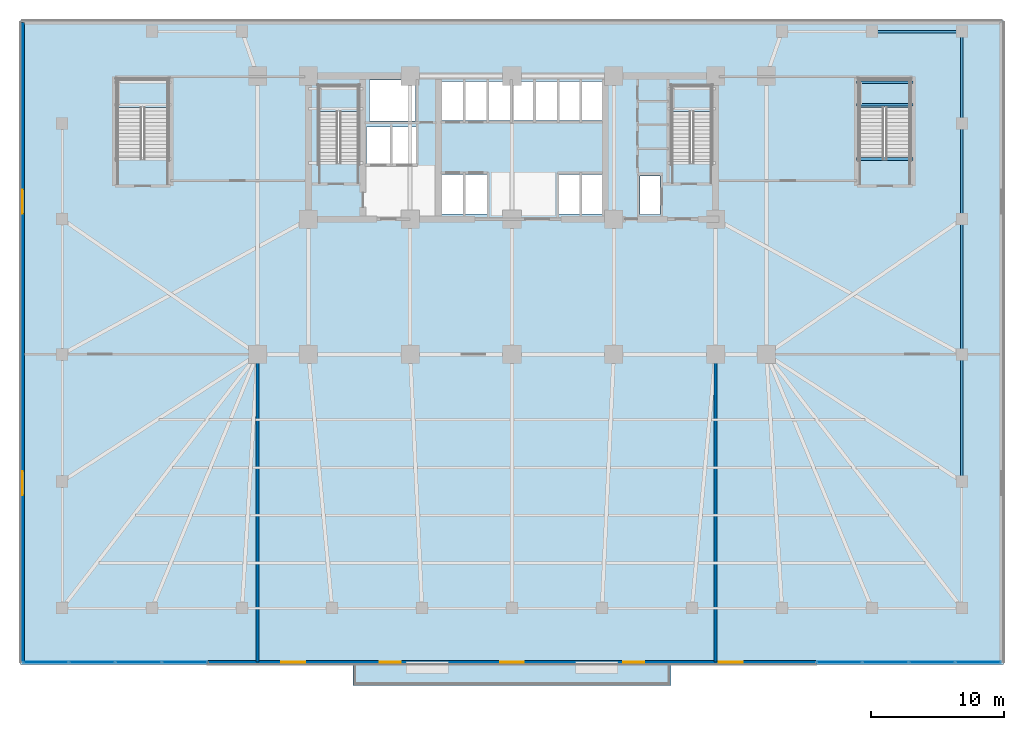
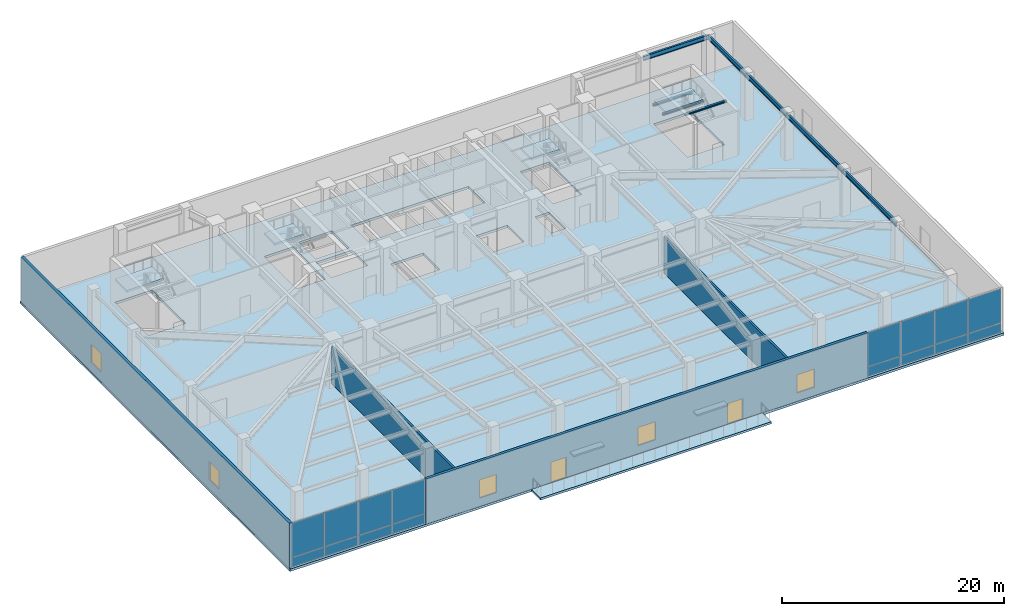
# One storey, part 7 of 15: 16 plates, 8 beams, 6 slabs, 5 windows, 4 walls, 2 doors, 7 openings, 6 elements without a shape of their own.
"""IFC4 building model written with IfcOpenShell, lengths in metres."""

from ifc_helpers import new_model, si_unit, direction, frame, frame_2d, origin, origin_2d, place, context, subcontext, project, spatial, polyline, rectangle, i_section, outline, extrude, material, layer, layer_set, material_profile, profile_set, type_object, element, fill, aggregate, save


model = new_model("IFC4")

# Units and contexts
model_context = context("Model", 3, precision=1e-05, world=origin(), true_north=direction((0.0, 1.0)))
body_context = subcontext(model_context, "Body", "Model", "MODEL_VIEW")
ifc_project = project(units=[si_unit("LENGTHUNIT", "METRE"), si_unit("AREAUNIT", "SQUARE_METRE"), si_unit("VOLUMEUNIT", "CUBIC_METRE"), si_unit("PLANEANGLEUNIT", "RADIAN"), si_unit("MASSUNIT", "GRAM", prefix="KILO")], contexts=[model_context])

# Site, building, storey
site_placement = place(None, origin())
site = spatial("IfcSite", under=ifc_project, at=site_placement, CompositionType="ELEMENT")
building_placement = place(site_placement, origin())
building = spatial("IfcBuilding", under=site, at=building_placement, Name="Yelkora Congress Tower", CompositionType="ELEMENT")
storey_placement = place(building_placement, frame((0.0, 0.0, 10.39990234375)))
storey = spatial("IfcBuildingStorey", under=building, at=storey_placement, Name="L02", CompositionType="ELEMENT", Elevation=10.39990234375)

# Beams
ifc_material_1 = material(Name="Steel S355J2", Category="steel")
ifc_material_profile_1 = material_profile(ifc_material_1, i_section(OverallWidth=0.199951171875, OverallDepth=0.18994140625, WebThickness=0.006591796875, FlangeThickness=0.010009765625, FilletRadius=0.01806640625, at=origin_2d()), Name="HEA 200")
ifc_profile_set_1 = profile_set([ifc_material_profile_1], Name="Steel S355J2")
beam_type_1 = type_object("IfcBeamType", Name="BM-LAND-HEA200", PredefinedType="BEAM", material=ifc_profile_set_1)
for number, where, z_axis, x_axis, name in (
    (1, (64.39990234375, 44.0400390625, 2.28466796875), (1.0, 0.0, 0.0), (0.0, 1.0, 0.0), "ST-P2 L02 Landing Header Beam 1S"),
    (2, (64.39990234375, 45.72998046875, 2.28466796875), (1.0, 0.0, 0.0), (0.0, 1.0, 0.0), "ST-P2 L02 Landing Header Beam 1N"),
    (3, (64.39990234375, 39.93994140625, 4.7431640625), (1.0, 0.0, 0.0), (0.0, 1.0, 0.0), "ST-P2 L02 Floor Arrival Stringer Header Beam"),
):
    element("IfcBeam", number, at=place(storey_placement, frame(where, z_axis=z_axis, x_axis=x_axis)), inside=storey, type_object=beam_type_1, Name=name, PredefinedType="BEAM", context=body_context, shape_type="SweptSolid", body=[
        extrude(i_section(OverallWidth=0.199951171875, OverallDepth=0.18994140625, WebThickness=0.006591796875, FlangeThickness=0.010009765625, FilletRadius=0.01806640625, at=origin_2d()), origin(), (0.0, 0.0, 1.0), 4.260009765625),
    ])
ifc_material_profile_2 = material_profile(ifc_material_1, i_section(OverallWidth=0.199951171875, OverallDepth=0.5, WebThickness=0.01025390625, FlangeThickness=0.01611328125, FilletRadius=0.02099609375, at=origin_2d()), Name="IPE 500")
ifc_profile_set_2 = profile_set([ifc_material_profile_2], Name="Steel S355J2")
beam_type_2 = type_object("IfcBeamType", Name="BM-SPAN-IPE500B", PredefinedType="BEAM", material=ifc_profile_set_2)
beam_1_placement = place(storey_placement, frame((72.35009765625, 15.60009765625, 4.690185546875), z_axis=(0.0, 1.0, 0.0), x_axis=(-1.0, 0.0, 0.0)))
element("IfcBeam", 4, at=beam_1_placement, inside=storey, type_object=beam_type_2, Name="L02 Perimeter Beam 13", PredefinedType="BEAM", context=body_context, shape_type="SweptSolid", body=[
    extrude(i_section(OverallWidth=0.199951171875, OverallDepth=0.5, WebThickness=0.01025390625, FlangeThickness=0.01611328125, FilletRadius=0.02099609375, at=origin_2d()), origin(), (0.0, 0.0, 1.0), 9.599853515625),
])
beam_2_placement = place(storey_placement, frame((72.35009765625, 25.199951171875, 4.690185546875), z_axis=(0.0, 1.0, 0.0), x_axis=(-1.0, 0.0, 0.0)))
element("IfcBeam", 5, at=beam_2_placement, inside=storey, type_object=beam_type_2, Name="L02 Perimeter Beam 14", PredefinedType="BEAM", context=body_context, shape_type="SweptSolid", body=[
    extrude(i_section(OverallWidth=0.199951171875, OverallDepth=0.5, WebThickness=0.01025390625, FlangeThickness=0.01611328125, FilletRadius=0.02099609375, at=origin_2d()), origin(), (0.0, 0.0, 1.0), 10.199951171875),
])
beam_3_placement = place(storey_placement, frame((72.35009765625, 35.39990234375, 4.690185546875), z_axis=(0.0, 1.0, 0.0), x_axis=(-1.0, 0.0, 0.0)))
element("IfcBeam", 6, at=beam_3_placement, inside=storey, type_object=beam_type_2, Name="L02 Perimeter Beam 15", PredefinedType="BEAM", context=body_context, shape_type="SweptSolid", body=[
    extrude(i_section(OverallWidth=0.199951171875, OverallDepth=0.5, WebThickness=0.01025390625, FlangeThickness=0.01611328125, FilletRadius=0.02099609375, at=origin_2d()), origin(), (0.0, 0.0, 1.0), 7.2001953125),
])
beam_4_placement = place(storey_placement, frame((72.35009765625, 42.60009765625, 4.690185546875), z_axis=(0.0, 1.0, 0.0), x_axis=(-1.0, 0.0, 0.0)))
element("IfcBeam", 7, at=beam_4_placement, inside=storey, type_object=beam_type_2, Name="L02 Perimeter Beam 16", PredefinedType="BEAM", context=body_context, shape_type="SweptSolid", body=[
    extrude(i_section(OverallWidth=0.199951171875, OverallDepth=0.5, WebThickness=0.01025390625, FlangeThickness=0.01611328125, FilletRadius=0.02099609375, at=origin_2d()), origin(), (0.0, 0.0, 1.0), 6.949951171875),
])
beam_5_placement = place(storey_placement, frame((72.35009765625, 49.550048828125, 4.690185546875), z_axis=(-1.0, 0.0, 0.0), x_axis=(0.0, -1.0, 0.0)))
element("IfcBeam", 8, at=beam_5_placement, inside=storey, type_object=beam_type_2, Name="L02 Perimeter Beam 17", PredefinedType="BEAM", context=body_context, shape_type="SweptSolid", body=[
    extrude(i_section(OverallWidth=0.199951171875, OverallDepth=0.5, WebThickness=0.01025390625, FlangeThickness=0.01611328125, FilletRadius=0.02099609375, at=origin_2d()), origin(), (0.0, 0.0, 1.0), 6.7900390625),
])

# Curtain wall, plates
ifc_material_2 = material(Name="Anodised aluminium and insulated glass", Category="aluminium")
curtain_wall_type = type_object("IfcCurtainWallType", Name="CW-SYS-POD", PredefinedType="NOTDEFINED", material=ifc_material_2)
curtain_wall_1_placement = place(storey_placement, origin())
curtain_wall_1 = element("IfcCurtainWall", 9, at=curtain_wall_1_placement, inside=storey, type_object=curtain_wall_type, Name="L02 Podium Curtain Wall West", PredefinedType="NOTDEFINED")
ifc_material_3 = material(Name="Double-glazed low-E podium vision glass", Category="glass")
ifc_layer_1 = layer(ifc_material_3, 0.0439453125)
ifc_layer_set_1 = layer_set([ifc_layer_1], Name="Double-glazed low-E podium vision glass")
plate_type = type_object("IfcPlateType", Name="PLT-PN-POD", PredefinedType="CURTAIN_PANEL", material=ifc_layer_set_1)
plate_1_placement = place(storey_placement, frame((3.228759765625, 1.9599609375, 0.070068359375), z_axis=(0.0, 0.0, 1.0), x_axis=(1.0, 0.0, 0.0)))
plate_1 = element("IfcPlate", 10, at=plate_1_placement, type_object=plate_type, Name="CW-POD panel 1.1", PredefinedType="CURTAIN_PANEL", context=body_context, shape_type="SweptSolid", body=[
    extrude(rectangle(XDim=3.387451171875, YDim=0.0439453125, at=origin_2d()), origin(), (0.0, 0.0, 1.0), 0.9951171875),
])
plate_2_placement = place(storey_placement, frame((3.228759765625, 1.9599609375, 1.13525390625), z_axis=(0.0, 0.0, 1.0), x_axis=(1.0, 0.0, 0.0)))
plate_2 = element("IfcPlate", 11, at=plate_2_placement, type_object=plate_type, Name="CW-POD panel 1.2", PredefinedType="CURTAIN_PANEL", context=body_context, shape_type="SweptSolid", body=[
    extrude(rectangle(XDim=3.387451171875, YDim=0.0439453125, at=origin_2d()), origin(), (0.0, 0.0, 1.0), 3.735107421875),
])
plate_3_placement = place(storey_placement, frame((6.7099609375, 1.9599609375, 0.070068359375), z_axis=(0.0, 0.0, 1.0), x_axis=(1.0, 0.0, 0.0)))
plate_3 = element("IfcPlate", 12, at=plate_3_placement, type_object=plate_type, Name="CW-POD panel 2.1", PredefinedType="CURTAIN_PANEL", context=body_context, shape_type="SweptSolid", body=[
    extrude(rectangle(XDim=3.425048828125, YDim=0.0439453125, at=origin_2d()), origin(), (0.0, 0.0, 1.0), 0.9951171875),
])
plate_4_placement = place(storey_placement, frame((6.7099609375, 1.9599609375, 1.13525390625), z_axis=(0.0, 0.0, 1.0), x_axis=(1.0, 0.0, 0.0)))
plate_4 = element("IfcPlate", 13, at=plate_4_placement, type_object=plate_type, Name="CW-POD panel 2.2", PredefinedType="CURTAIN_PANEL", context=body_context, shape_type="SweptSolid", body=[
    extrude(rectangle(XDim=3.425048828125, YDim=0.0439453125, at=origin_2d()), origin(), (0.0, 0.0, 1.0), 3.735107421875),
])
plate_5_placement = place(storey_placement, frame((10.2099609375, 1.9599609375, 0.070068359375), z_axis=(0.0, 0.0, 1.0), x_axis=(1.0, 0.0, 0.0)))
plate_5 = element("IfcPlate", 14, at=plate_5_placement, type_object=plate_type, Name="CW-POD panel 3.1", PredefinedType="CURTAIN_PANEL", context=body_context, shape_type="SweptSolid", body=[
    extrude(rectangle(XDim=3.425048828125, YDim=0.0439453125, at=origin_2d()), origin(), (0.0, 0.0, 1.0), 0.9951171875),
])
plate_6_placement = place(storey_placement, frame((10.2099609375, 1.9599609375, 1.13525390625), z_axis=(0.0, 0.0, 1.0), x_axis=(1.0, 0.0, 0.0)))
plate_6 = element("IfcPlate", 15, at=plate_6_placement, type_object=plate_type, Name="CW-POD panel 3.2", PredefinedType="CURTAIN_PANEL", context=body_context, shape_type="SweptSolid", body=[
    extrude(rectangle(XDim=3.425048828125, YDim=0.0439453125, at=origin_2d()), origin(), (0.0, 0.0, 1.0), 3.735107421875),
])
plate_7_placement = place(storey_placement, frame((13.691162109375, 1.9599609375, 0.070068359375), z_axis=(0.0, 0.0, 1.0), x_axis=(1.0, 0.0, 0.0)))
plate_7 = element("IfcPlate", 16, at=plate_7_placement, type_object=plate_type, Name="CW-POD panel 4.1", PredefinedType="CURTAIN_PANEL", context=body_context, shape_type="SweptSolid", body=[
    extrude(rectangle(XDim=3.387451171875, YDim=0.0439453125, at=origin_2d()), origin(), (0.0, 0.0, 1.0), 0.9951171875),
])
plate_8_placement = place(storey_placement, frame((13.691162109375, 1.9599609375, 1.13525390625), z_axis=(0.0, 0.0, 1.0), x_axis=(1.0, 0.0, 0.0)))
plate_8 = element("IfcPlate", 17, at=plate_8_placement, type_object=plate_type, Name="CW-POD panel 4.2", PredefinedType="CURTAIN_PANEL", context=body_context, shape_type="SweptSolid", body=[
    extrude(rectangle(XDim=3.387451171875, YDim=0.0439453125, at=origin_2d()), origin(), (0.0, 0.0, 1.0), 3.735107421875),
])
aggregate(curtain_wall_1, [plate_1, plate_2, plate_3, plate_4, plate_5, plate_6, plate_7, plate_8])

curtain_wall_2_placement = place(storey_placement, origin())
curtain_wall_2 = element("IfcCurtainWall", 18, at=curtain_wall_2_placement, inside=storey, type_object=curtain_wall_type, Name="L02 Podium Curtain Wall East", PredefinedType="NOTDEFINED")
plate_9_placement = place(storey_placement, frame((63.108642578125, 1.9599609375, 0.070068359375), z_axis=(0.0, 0.0, 1.0), x_axis=(1.0, 0.0, 0.0)))
plate_9 = element("IfcPlate", 19, at=plate_9_placement, type_object=plate_type, Name="CW-POD panel 1.1", PredefinedType="CURTAIN_PANEL", context=body_context, shape_type="SweptSolid", body=[
    extrude(rectangle(XDim=3.387451171875, YDim=0.0439453125, at=origin_2d()), origin(), (0.0, 0.0, 1.0), 0.9951171875),
])
plate_10_placement = place(storey_placement, frame((63.108642578125, 1.9599609375, 1.13525390625), z_axis=(0.0, 0.0, 1.0), x_axis=(1.0, 0.0, 0.0)))
plate_10 = element("IfcPlate", 20, at=plate_10_placement, type_object=plate_type, Name="CW-POD panel 1.2", PredefinedType="CURTAIN_PANEL", context=body_context, shape_type="SweptSolid", body=[
    extrude(rectangle(XDim=3.387451171875, YDim=0.0439453125, at=origin_2d()), origin(), (0.0, 0.0, 1.0), 3.735107421875),
])
plate_11_placement = place(storey_placement, frame((66.590087890625, 1.9599609375, 0.070068359375), z_axis=(0.0, 0.0, 1.0), x_axis=(1.0, 0.0, 0.0)))
plate_11 = element("IfcPlate", 21, at=plate_11_placement, type_object=plate_type, Name="CW-POD panel 2.1", PredefinedType="CURTAIN_PANEL", context=body_context, shape_type="SweptSolid", body=[
    extrude(rectangle(XDim=3.425048828125, YDim=0.0439453125, at=origin_2d()), origin(), (0.0, 0.0, 1.0), 0.9951171875),
])
plate_12_placement = place(storey_placement, frame((66.590087890625, 1.9599609375, 1.13525390625), z_axis=(0.0, 0.0, 1.0), x_axis=(1.0, 0.0, 0.0)))
plate_12 = element("IfcPlate", 22, at=plate_12_placement, type_object=plate_type, Name="CW-POD panel 2.2", PredefinedType="CURTAIN_PANEL", context=body_context, shape_type="SweptSolid", body=[
    extrude(rectangle(XDim=3.425048828125, YDim=0.0439453125, at=origin_2d()), origin(), (0.0, 0.0, 1.0), 3.735107421875),
])
plate_13_placement = place(storey_placement, frame((70.090087890625, 1.9599609375, 0.070068359375), z_axis=(0.0, 0.0, 1.0), x_axis=(1.0, 0.0, 0.0)))
plate_13 = element("IfcPlate", 23, at=plate_13_placement, type_object=plate_type, Name="CW-POD panel 3.1", PredefinedType="CURTAIN_PANEL", context=body_context, shape_type="SweptSolid", body=[
    extrude(rectangle(XDim=3.425048828125, YDim=0.0439453125, at=origin_2d()), origin(), (0.0, 0.0, 1.0), 0.9951171875),
])
plate_14_placement = place(storey_placement, frame((70.090087890625, 1.9599609375, 1.13525390625), z_axis=(0.0, 0.0, 1.0), x_axis=(1.0, 0.0, 0.0)))
plate_14 = element("IfcPlate", 24, at=plate_14_placement, type_object=plate_type, Name="CW-POD panel 3.2", PredefinedType="CURTAIN_PANEL", context=body_context, shape_type="SweptSolid", body=[
    extrude(rectangle(XDim=3.425048828125, YDim=0.0439453125, at=origin_2d()), origin(), (0.0, 0.0, 1.0), 3.735107421875),
])
plate_15_placement = place(storey_placement, frame((73.5712890625, 1.9599609375, 0.070068359375), z_axis=(0.0, 0.0, 1.0), x_axis=(1.0, 0.0, 0.0)))
plate_15 = element("IfcPlate", 25, at=plate_15_placement, type_object=plate_type, Name="CW-POD panel 4.1", PredefinedType="CURTAIN_PANEL", context=body_context, shape_type="SweptSolid", body=[
    extrude(rectangle(XDim=3.387451171875, YDim=0.0439453125, at=origin_2d()), origin(), (0.0, 0.0, 1.0), 0.9951171875),
])
plate_16_placement = place(storey_placement, frame((73.5712890625, 1.9599609375, 1.13525390625), z_axis=(0.0, 0.0, 1.0), x_axis=(1.0, 0.0, 0.0)))
plate_16 = element("IfcPlate", 26, at=plate_16_placement, type_object=plate_type, Name="CW-POD panel 4.2", PredefinedType="CURTAIN_PANEL", context=body_context, shape_type="SweptSolid", body=[
    extrude(rectangle(XDim=3.387451171875, YDim=0.0439453125, at=origin_2d()), origin(), (0.0, 0.0, 1.0), 3.735107421875),
])
aggregate(curtain_wall_2, [plate_9, plate_10, plate_11, plate_12, plate_13, plate_14, plate_15, plate_16])

# Stair, slab
ifc_material_4 = material(Name="Concrete C40/50", Category="concrete")
stair_type_1 = type_object("IfcStairType", Name="STAIR-HT-1420-R30-173", PredefinedType="HALF_TURN_STAIR", material=ifc_material_4)
stair_1_placement = place(storey_placement, origin())
stair_1 = element("IfcStair", 27, at=stair_1_placement, inside=storey, type_object=stair_type_1, Name="West Core Protected Exit Stair ST-01 (L02)", PredefinedType="HALF_TURN_STAIR")
ifc_layer_2 = layer(ifc_material_4, 0.219970703125)
ifc_layer_set_2 = layer_set([ifc_layer_2], Name="Concrete C40/50")
slab_type_1 = type_object("IfcSlabType", Name="SLAB-LANDING-220", PredefinedType="LANDING", material=ifc_layer_set_2)
slab_1_placement = place(storey_placement, frame((0.0, 0.0, 2.380126953125)))
slab_1 = element("IfcSlab", 28, at=slab_1_placement, type_object=slab_type_1, Name="ST-01 L02 Half Landing 1", PredefinedType="LANDING", context=body_context, shape_type="SweptSolid", body=[
    extrude(outline(polyline([(26.820068359375, 43.52001953125), (26.820068359375, 45.469970703125), (23.820068359375, 45.469970703125), (23.820068359375, 43.52001953125), (26.820068359375, 43.52001953125)])), origin(), (0.0, 0.0, 1.0), 0.219970703125),
])
aggregate(stair_1, [slab_1])

stair_2_placement = place(storey_placement, origin())
stair_2 = element("IfcStair", 29, at=stair_2_placement, inside=storey, type_object=stair_type_1, Name="East Core Protected Exit Stair ST-02 (L02)", PredefinedType="HALF_TURN_STAIR")
slab_2_placement = place(storey_placement, frame((0.0, 0.0, 2.380126953125)))
slab_2 = element("IfcSlab", 30, at=slab_2_placement, type_object=slab_type_1, Name="ST-02 L02 Half Landing 1", PredefinedType="LANDING", context=body_context, shape_type="SweptSolid", body=[
    extrude(outline(polyline([(53.4599609375, 43.52001953125), (53.4599609375, 45.469970703125), (50.4599609375, 45.469970703125), (50.4599609375, 43.52001953125), (53.4599609375, 43.52001953125)])), origin(), (0.0, 0.0, 1.0), 0.219970703125),
])
aggregate(stair_2, [slab_2])

stair_type_2 = type_object("IfcStairType", Name="STAIR-HT-1850-R30-173", PredefinedType="HALF_TURN_STAIR", material=ifc_material_4)
stair_3_placement = place(storey_placement, origin())
stair_3 = element("IfcStair", 31, at=stair_3_placement, inside=storey, type_object=stair_type_2, Name="Podium Exit Stair ST-P1 (L02)", PredefinedType="HALF_TURN_STAIR")
slab_3_placement = place(storey_placement, frame((0.0, 0.0, 2.380126953125)))
slab_3 = element("IfcSlab", 32, at=slab_3_placement, type_object=slab_type_1, Name="ST-P1 L02 Half Landing 1", PredefinedType="LANDING", context=body_context, shape_type="SweptSolid", body=[
    extrude(outline(polyline([(12.4599609375, 43.820068359375), (12.4599609375, 45.949951171875), (8.60009765625, 45.949951171875), (8.60009765625, 43.820068359375), (12.4599609375, 43.820068359375)])), origin(), (0.0, 0.0, 1.0), 0.219970703125),
])
aggregate(stair_3, [slab_3])

stair_4_placement = place(storey_placement, origin())
stair_4 = element("IfcStair", 33, at=stair_4_placement, inside=storey, type_object=stair_type_2, Name="Podium Exit Stair ST-P2 (L02)", PredefinedType="HALF_TURN_STAIR")
slab_4_placement = place(storey_placement, frame((0.0, 0.0, 2.380126953125)))
slab_4 = element("IfcSlab", 34, at=slab_4_placement, type_object=slab_type_1, Name="ST-P2 L02 Half Landing 1", PredefinedType="LANDING", context=body_context, shape_type="SweptSolid", body=[
    extrude(outline(polyline([(68.4599609375, 43.820068359375), (68.4599609375, 45.949951171875), (64.60009765625, 45.949951171875), (64.60009765625, 43.820068359375), (68.4599609375, 43.820068359375)])), origin(), (0.0, 0.0, 1.0), 0.219970703125),
])
aggregate(stair_4, [slab_4])

# Slabs
ifc_layer_3 = layer(ifc_material_4, 0.260009765625)
ifc_layer_set_3 = layer_set([ifc_layer_3], Name="Concrete C40/50")
slab_type_2 = type_object("IfcSlabType", Name="SLAB-POD-260", PredefinedType="FLOOR", material=ifc_layer_set_3)
slab_5_placement = place(storey_placement, frame((0.0, 0.0, -0.260009765625)))
element("IfcSlab", 35, at=slab_5_placement, inside=storey, type_object=slab_type_2, Name="L02 Structural Floor Slab", PredefinedType="FLOOR", context=body_context, shape_type="SweptSolid", body=[
    extrude(outline(polyline([(1.300048828125, 1.800048828125), (75.5, 1.800048828125), (75.5, 50.39990234375), (1.300048828125, 50.39990234375), (1.300048828125, 1.800048828125)]), holes=[polyline([(23.820068359375, 39.6298828125), (26.820068359375, 39.6298828125), (26.820068359375, 45.469970703125), (23.820068359375, 45.469970703125), (23.820068359375, 39.6298828125)]), polyline([(50.4599609375, 39.6298828125), (53.4599609375, 39.6298828125), (53.4599609375, 45.469970703125), (50.4599609375, 45.469970703125), (50.4599609375, 39.6298828125)]), polyline([(8.60009765625, 39.929931640625), (12.4599609375, 39.929931640625), (12.4599609375, 45.949951171875), (8.60009765625, 45.949951171875), (8.60009765625, 39.929931640625)]), polyline([(64.60009765625, 39.929931640625), (68.4599609375, 39.929931640625), (68.4599609375, 45.949951171875), (64.60009765625, 45.949951171875), (64.60009765625, 39.929931640625)]), polyline([(48.050048828125, 35.75), (49.550048828125, 35.75), (49.550048828125, 38.64990234375), (48.050048828125, 38.64990234375), (48.050048828125, 35.75)]), polyline([(41.949951171875, 35.800048828125), (45.25, 35.800048828125), (45.25, 38.75), (41.949951171875, 38.75), (41.949951171875, 35.800048828125)]), polyline([(33.10009765625, 42.85009765625), (45.25, 42.85009765625), (45.25, 45.800048828125), (33.10009765625, 45.800048828125), (33.10009765625, 42.85009765625)]), polyline([(33.10009765625, 35.800048828125), (36.5, 35.800048828125), (36.5, 38.75), (33.10009765625, 38.75), (33.10009765625, 35.800048828125)]), polyline([(27.419921875, 39.60009765625), (31.179931640625, 39.60009765625), (31.179931640625, 42.35009765625), (27.419921875, 42.35009765625), (27.419921875, 39.60009765625)]), polyline([(27.64990234375, 42.820068359375), (31.1201171875, 42.820068359375), (31.1201171875, 45.8798828125), (27.64990234375, 45.8798828125), (27.64990234375, 42.820068359375)])]), origin(), (0.0, 0.0, 1.0), 0.260009765625),
])
ifc_layer_4 = layer(ifc_material_4, 0.239990234375)
ifc_layer_set_4 = layer_set([ifc_layer_4], Name="Concrete C40/50")
slab_type_3 = type_object("IfcSlabType", Name="SLAB-TER-240", PredefinedType="FLOOR", material=ifc_layer_set_4)
slab_6_placement = place(storey_placement, frame((0.0, 0.0, -0.239990234375)))
element("IfcSlab", 36, at=slab_6_placement, inside=storey, type_object=slab_type_3, Name="L02 Planted Sky Garden Terrace Slab", PredefinedType="FLOOR", context=body_context, shape_type="SweptSolid", body=[
    extrude(outline(polyline([(26.39990234375, 0.199951171875), (26.39990234375, 1.800048828125), (50.39990234375, 1.800048828125), (50.39990234375, 0.199951171875), (26.39990234375, 0.199951171875)])), origin(), (0.0, 0.0, 1.0), 0.239990234375),
])

# Wall, openings, windows
ifc_layer_5 = layer(ifc_material_4, 0.280029296875)
ifc_layer_set_5 = layer_set([ifc_layer_5], Name="Concrete C40/50")
wall_type_1 = type_object("IfcWallType", Name="WALL-EXT-LIMESTONE-280", PredefinedType="SOLIDWALL", material=ifc_layer_set_5)
wall_1_placement = place(storey_placement, frame((1.4599609375, 1.9599609375, 0.0), z_axis=(0.0, 0.0, 1.0), x_axis=(0.0, 1.0, 0.0)))
wall_1 = element("IfcWall", 37, at=wall_1_placement, inside=storey, type_object=wall_type_1, Name="L02 Podium Limestone Wall 1", PredefinedType="SOLIDWALL", context=body_context, shape_type="SweptSolid", body=[
    extrude(rectangle(XDim=48.280029296875, YDim=0.280029296875, at=frame_2d((24.14013671875, 0.0))), origin(), (0.0, 0.0, 1.0), 4.940185546875),
])
opening_1_placement = place(wall_1_placement, frame((12.618408203125, 0.0, 1.0)))
opening_1 = element("IfcOpeningElement", 38, at=opening_1_placement, cuts=wall_1, Name="Opening WN-18", PredefinedType="OPENING", context=body_context, shape_type="SweptSolid", body=[
    extrude(rectangle(XDim=1.800048828125, YDim=2.0, at=frame_2d((0.89990234375, 1.0))), frame((0.0, 0.14990234375, 0.0), z_axis=(0.0, -1.0, 0.0), x_axis=(1.0, 0.0, 0.0)), (0.0, 0.0, 1.0), 0.300048828125),
])
opening_2_placement = place(wall_1_placement, frame((33.861572265625, 0.0, 1.0)))
opening_2 = element("IfcOpeningElement", 39, at=opening_2_placement, cuts=wall_1, Name="Opening WN-18", PredefinedType="OPENING", context=body_context, shape_type="SweptSolid", body=[
    extrude(rectangle(XDim=1.800048828125, YDim=2.0, at=frame_2d((0.89990234375, 1.0))), frame((0.0, 0.14990234375, 0.0), z_axis=(0.0, -1.0, 0.0), x_axis=(1.0, 0.0, 0.0)), (0.0, 0.0, 1.0), 0.300048828125),
])
ifc_material_5 = material(Name="Thermally broken aluminium low-E window", Category="aluminium")
window_type = type_object("IfcWindowType", Name="WIN-POD-1800x2000", PartitioningType="SINGLE_PANEL", PredefinedType="WINDOW", material=ifc_material_5)
window_1_placement = place(opening_1_placement, origin())
window_1 = element("IfcWindow", 40, at=window_1_placement, inside=storey, type_object=window_type, Name="L02 Podium Facade Window 1-1", OverallHeight=2.0, OverallWidth=1.800048828125, PartitioningType="SINGLE_PANEL", PredefinedType="WINDOW", context=body_context, shape_type="SweptSolid", body=[
    extrude(rectangle(XDim=1.800048828125, YDim=2.0, at=frame_2d((0.89990234375, 1.0))), frame((0.0, 0.030029296875, 0.0), z_axis=(0.0, -1.0, 0.0), x_axis=(1.0, 0.0, 0.0)), (0.0, 0.0, 1.0), 0.06005859375),
])
fill(opening_1, window_1)
window_2_placement = place(opening_2_placement, origin())
window_2 = element("IfcWindow", 41, at=window_2_placement, inside=storey, type_object=window_type, Name="L02 Podium Facade Window 1-2", OverallHeight=2.0, OverallWidth=1.800048828125, PartitioningType="SINGLE_PANEL", PredefinedType="WINDOW", context=body_context, shape_type="SweptSolid", body=[
    extrude(rectangle(XDim=1.800048828125, YDim=2.0, at=frame_2d((0.89990234375, 1.0))), frame((0.0, 0.030029296875, 0.0), z_axis=(0.0, -1.0, 0.0), x_axis=(1.0, 0.0, 0.0)), (0.0, 0.0, 1.0), 0.06005859375),
])
fill(opening_2, window_2)

# Wall, openings, doors, windows
wall_2_placement = place(storey_placement, frame((15.4599609375, 1.9599609375, 0.0), z_axis=(0.0, 0.0, 1.0), x_axis=(1.0, 0.0, 0.0)))
wall_2 = element("IfcWall", 42, at=wall_2_placement, inside=storey, type_object=wall_type_1, Name="L02 Terrace Portal Wall", PredefinedType="SOLIDWALL", context=body_context, shape_type="SweptSolid", body=[
    extrude(rectangle(XDim=45.880126953125, YDim=0.280029296875, at=frame_2d((22.93994140625, 0.0))), origin(), (0.0, 0.0, 1.0), 4.940185546875),
])
opening_3_placement = place(wall_2_placement, frame((12.964111328125, 0.0, 0.0)))
opening_3 = element("IfcOpeningElement", 43, at=opening_3_placement, cuts=wall_2, Name="Opening DE-160T", PredefinedType="OPENING", context=body_context, shape_type="SweptSolid", body=[
    extrude(rectangle(XDim=1.60009765625, YDim=2.25, at=frame_2d((0.800048828125, 1.125))), frame((0.0, 0.14990234375, 0.0), z_axis=(0.0, -1.0, 0.0), x_axis=(1.0, 0.0, 0.0)), (0.0, 0.0, 1.0), 0.300048828125),
])
opening_4_placement = place(wall_2_placement, frame((31.31591796875, 0.0, 0.0)))
opening_4 = element("IfcOpeningElement", 44, at=opening_4_placement, cuts=wall_2, Name="Opening DE-160T", PredefinedType="OPENING", context=body_context, shape_type="SweptSolid", body=[
    extrude(rectangle(XDim=1.60009765625, YDim=2.25, at=frame_2d((0.800048828125, 1.125))), frame((0.0, 0.14990234375, 0.0), z_axis=(0.0, -1.0, 0.0), x_axis=(1.0, 0.0, 0.0)), (0.0, 0.0, 1.0), 0.300048828125),
])
opening_5_placement = place(wall_2_placement, frame((5.523193359375, 0.0, 0.89990234375)))
opening_5 = element("IfcOpeningElement", 45, at=opening_5_placement, cuts=wall_2, Name="Opening WN-18", PredefinedType="OPENING", context=body_context, shape_type="SweptSolid", body=[
    extrude(rectangle(XDim=1.800048828125, YDim=2.0, at=frame_2d((0.89990234375, 1.0))), frame((0.0, 0.14990234375, 0.0), z_axis=(0.0, -1.0, 0.0), x_axis=(1.0, 0.0, 0.0)), (0.0, 0.0, 1.0), 0.300048828125),
])
opening_6_placement = place(wall_2_placement, frame((22.0400390625, 0.0, 0.89990234375)))
opening_6 = element("IfcOpeningElement", 46, at=opening_6_placement, cuts=wall_2, Name="Opening WN-18", PredefinedType="OPENING", context=body_context, shape_type="SweptSolid", body=[
    extrude(rectangle(XDim=1.800048828125, YDim=2.0, at=frame_2d((0.89990234375, 1.0))), frame((0.0, 0.14990234375, 0.0), z_axis=(0.0, -1.0, 0.0), x_axis=(1.0, 0.0, 0.0)), (0.0, 0.0, 1.0), 0.300048828125),
])
opening_7_placement = place(wall_2_placement, frame((38.556884765625, 0.0, 0.89990234375)))
opening_7 = element("IfcOpeningElement", 47, at=opening_7_placement, cuts=wall_2, Name="Opening WN-18", PredefinedType="OPENING", context=body_context, shape_type="SweptSolid", body=[
    extrude(rectangle(XDim=1.800048828125, YDim=2.0, at=frame_2d((0.89990234375, 1.0))), frame((0.0, 0.14990234375, 0.0), z_axis=(0.0, -1.0, 0.0), x_axis=(1.0, 0.0, 0.0)), (0.0, 0.0, 1.0), 0.300048828125),
])
ifc_material_6 = material(Name="Thermally broken aluminium glazed terrace door", Category="aluminium")
door_type = type_object("IfcDoorType", Name="DOOR-EXT-TERRACE-1600", OperationType="DOUBLE_DOOR_SINGLE_SWING", PredefinedType="DOOR", material=ifc_material_6)
door_1_placement = place(opening_3_placement, frame((1.60009765625, 0.0, 0.0), z_axis=(0.0, 0.0, 1.0), x_axis=(-1.0, 0.0, 0.0)))
door_1 = element("IfcDoor", 48, at=door_1_placement, inside=storey, type_object=door_type, Name="L02 Planted Podium Terrace Door 1", OperationType="SINGLE_SWING_LEFT", OverallHeight=2.25, OverallWidth=1.60009765625, PredefinedType="DOOR", context=body_context, shape_type="SweptSolid", body=[
    extrude(rectangle(XDim=1.60009765625, YDim=2.25, at=frame_2d((0.800048828125, 1.125))), frame((0.0, 0.02490234375, 0.0), z_axis=(0.0, -1.0, 0.0), x_axis=(1.0, 0.0, 0.0)), (0.0, 0.0, 1.0), 0.050048828125),
])
fill(opening_3, door_1)
door_2_placement = place(opening_4_placement, frame((1.60009765625, 0.0, 0.0), z_axis=(0.0, 0.0, 1.0), x_axis=(-1.0, 0.0, 0.0)))
door_2 = element("IfcDoor", 49, at=door_2_placement, inside=storey, type_object=door_type, Name="L02 Planted Podium Terrace Door 2", OperationType="SINGLE_SWING_LEFT", OverallHeight=2.25, OverallWidth=1.60009765625, PredefinedType="DOOR", context=body_context, shape_type="SweptSolid", body=[
    extrude(rectangle(XDim=1.60009765625, YDim=2.25, at=frame_2d((0.800048828125, 1.125))), frame((0.0, 0.02490234375, 0.0), z_axis=(0.0, -1.0, 0.0), x_axis=(1.0, 0.0, 0.0)), (0.0, 0.0, 1.0), 0.050048828125),
])
fill(opening_4, door_2)
window_3_placement = place(opening_5_placement, origin())
window_3 = element("IfcWindow", 50, at=window_3_placement, inside=storey, type_object=window_type, Name="L02 Terrace Lounge Window 1", OverallHeight=2.0, OverallWidth=1.800048828125, PartitioningType="SINGLE_PANEL", PredefinedType="WINDOW", context=body_context, shape_type="SweptSolid", body=[
    extrude(rectangle(XDim=1.800048828125, YDim=2.0, at=frame_2d((0.89990234375, 1.0))), frame((0.0, 0.030029296875, 0.0), z_axis=(0.0, -1.0, 0.0), x_axis=(1.0, 0.0, 0.0)), (0.0, 0.0, 1.0), 0.06005859375),
])
fill(opening_5, window_3)
window_4_placement = place(opening_6_placement, origin())
window_4 = element("IfcWindow", 51, at=window_4_placement, inside=storey, type_object=window_type, Name="L02 Terrace Lounge Window 2", OverallHeight=2.0, OverallWidth=1.800048828125, PartitioningType="SINGLE_PANEL", PredefinedType="WINDOW", context=body_context, shape_type="SweptSolid", body=[
    extrude(rectangle(XDim=1.800048828125, YDim=2.0, at=frame_2d((0.89990234375, 1.0))), frame((0.0, 0.030029296875, 0.0), z_axis=(0.0, -1.0, 0.0), x_axis=(1.0, 0.0, 0.0)), (0.0, 0.0, 1.0), 0.06005859375),
])
fill(opening_6, window_4)
window_5_placement = place(opening_7_placement, origin())
window_5 = element("IfcWindow", 52, at=window_5_placement, inside=storey, type_object=window_type, Name="L02 Terrace Lounge Window 3", OverallHeight=2.0, OverallWidth=1.800048828125, PartitioningType="SINGLE_PANEL", PredefinedType="WINDOW", context=body_context, shape_type="SweptSolid", body=[
    extrude(rectangle(XDim=1.800048828125, YDim=2.0, at=frame_2d((0.89990234375, 1.0))), frame((0.0, 0.030029296875, 0.0), z_axis=(0.0, -1.0, 0.0), x_axis=(1.0, 0.0, 0.0)), (0.0, 0.0, 1.0), 0.06005859375),
])
fill(opening_7, window_5)

# Walls
ifc_material_7 = material(Name="Autoclaved high-density acoustic blockwork", Category="masonry")
ifc_layer_6 = layer(ifc_material_7, 0.199951171875)
ifc_layer_set_6 = layer_set([ifc_layer_6], Name="Autoclaved high-density acoustic blockwork")
wall_type_2 = type_object("IfcWallType", Name="WALL-INT-200-R90", PredefinedType="PARTITIONING", material=ifc_layer_set_6)
for number, where, z_axis, x_axis, name in (
    (53, (19.199951171875, 1.97998046875, 0.0), (0.0, 0.0, 1.0), (0.0, 1.0, 0.0), "L02 Partition Wall 40"),
    (54, (53.760009765625, 1.97998046875, 0.0), (0.0, 0.0, 1.0), (0.0, 1.0, 0.0), "L02 Partition Wall 41"),
):
    element("IfcWall", number, at=place(storey_placement, frame(where, z_axis=z_axis, x_axis=x_axis)), inside=storey, type_object=wall_type_2, Name=name, PredefinedType="PARTITIONING", context=body_context, shape_type="SweptSolid", body=[
        extrude(rectangle(XDim=23.219970703125, YDim=0.199951171875, at=frame_2d((11.60986328125, 0.0))), origin(), (0.0, 0.0, 1.0), 4.03515625),
    ])

save(model, "model.ifc")
